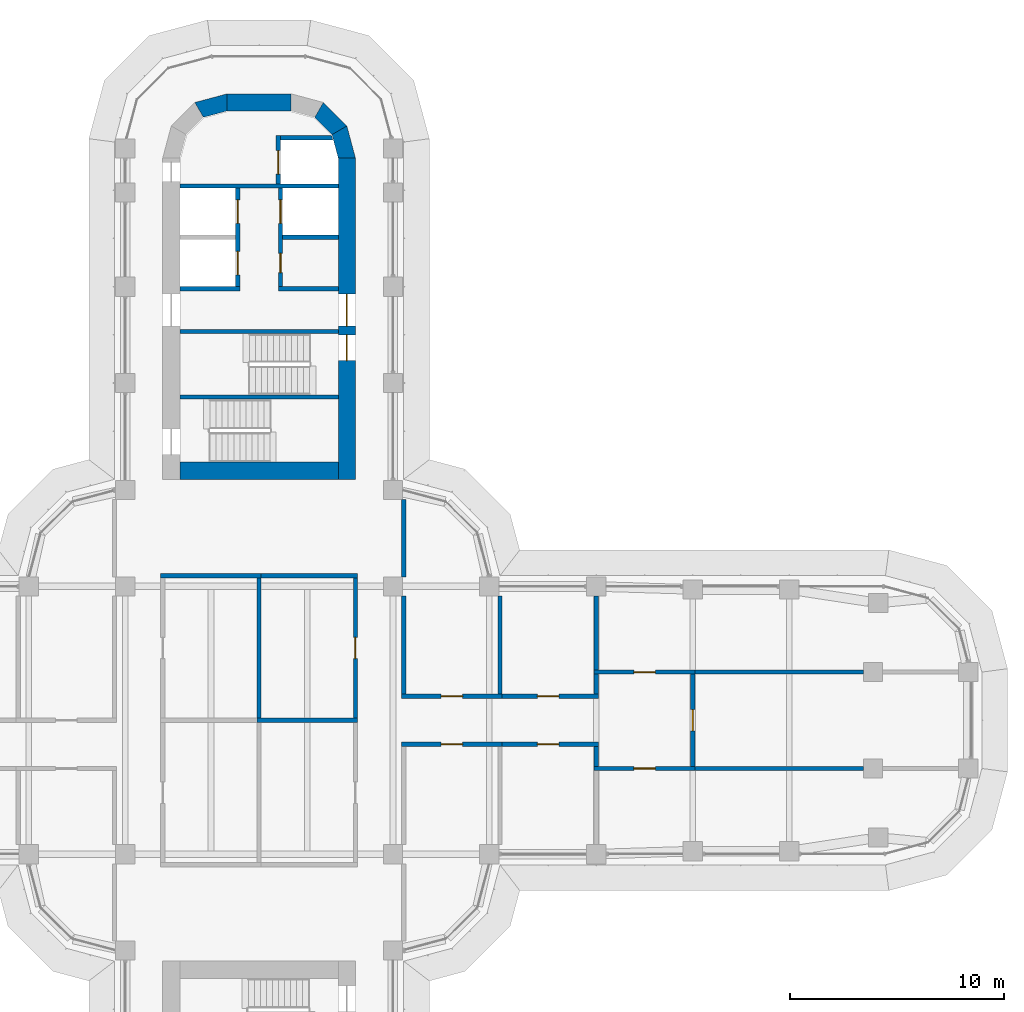
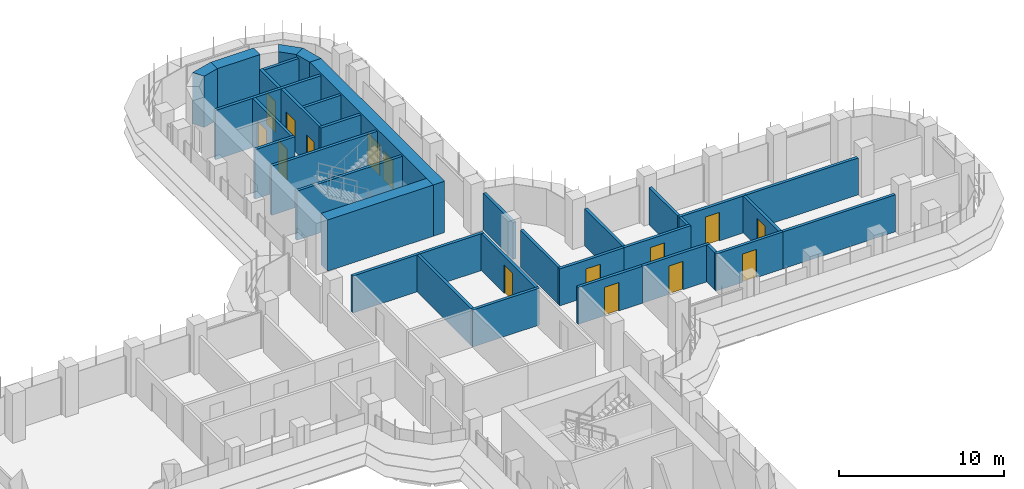
# One storey, part 17 of 22: 36 walls, 15 doors, 15 openings.
"""IFC4 building model written with IfcOpenShell, lengths in metres."""

from ifc_helpers import new_model, si_unit, direction, frame, frame_2d, origin, place, context, subcontext, project, spatial, polyline, rectangle, outline, extrude, material, layer, layer_set, type_object, element, fill, save


model = new_model("IFC4")

# Units and contexts
model_context = context("Model", 3, precision=1e-05, world=origin(), true_north=direction((0.0, 1.0)))
body_context = subcontext(model_context, "Body", "Model", "MODEL_VIEW")
ifc_project = project(units=[si_unit("LENGTHUNIT", "METRE"), si_unit("AREAUNIT", "SQUARE_METRE"), si_unit("VOLUMEUNIT", "CUBIC_METRE"), si_unit("PLANEANGLEUNIT", "RADIAN"), si_unit("MASSUNIT", "GRAM", prefix="KILO")], contexts=[model_context])

# Site, building, storey
site_placement = place(None, origin())
site = spatial("IfcSite", under=ifc_project, at=site_placement, CompositionType="ELEMENT")
building_placement = place(site_placement, origin())
building = spatial("IfcBuilding", under=site, at=building_placement, Name="Zarbagh Exchange Tower", CompositionType="ELEMENT")
storey_placement = place(building_placement, frame((0.0, 0.0, 109.39990234375)))
storey = spatial("IfcBuildingStorey", under=building, at=storey_placement, Name="L25", CompositionType="ELEMENT", Elevation=109.39990234375)

# Wall, opening, door
ifc_material_1 = material(Name="Fire-rated plasterboard partition")
ifc_layer_1 = layer(ifc_material_1, 0.199951171875)
ifc_layer_set_1 = layer_set([ifc_layer_1], Name="RATED PARTITION 200")
wall_type_1 = type_object("IfcWallType", Name="RATED PARTITION 200", PredefinedType="PARTITIONING", material=ifc_layer_set_1)
wall_1_placement = place(storey_placement, frame((4.5, 0.10009765625, 0.0), z_axis=(0.0, 0.0, 1.0), x_axis=(0.0, 1.0, 0.0)))
wall_1 = element("IfcWall", 1, at=wall_1_placement, inside=storey, type_object=wall_type_1, Name="Partition W-907", PredefinedType="PARTITIONING", context=body_context, shape_type="SweptSolid", body=[
    extrude(rectangle(XDim=6.5498046875, YDim=0.199951171875, at=frame_2d((3.27490234375, 0.0))), origin(), (0.0, 0.0, 1.0), 2.73828125),
])
opening_1_placement = place(wall_1_placement, frame((2.77490234375, 0.0, 0.0)))
opening_1 = element("IfcOpeningElement", 2, at=opening_1_placement, cuts=wall_1, Name="Opening D-901", PredefinedType="OPENING", context=body_context, shape_type="SweptSolid", body=[
    extrude(rectangle(XDim=1.0, YDim=2.10009765625, at=frame_2d((0.5, 1.050048828125))), frame((0.0, 0.10986328125, 0.0), z_axis=(0.0, -1.0, 0.0), x_axis=(1.0, 0.0, 0.0)), (0.0, 0.0, 1.0), 0.219970703125),
])
ifc_material_2 = material(Name="Steel door set", Category="steel")
door_type_1 = type_object("IfcDoorType", Name="FIRE DOOR 1000 X 2100 FD30S", OperationType="NOTDEFINED", PredefinedType="DOOR", material=ifc_material_2)
door_1_placement = place(opening_1_placement, origin())
door_1 = element("IfcDoor", 3, at=door_1_placement, inside=storey, type_object=door_type_1, Name="Door D-901", OperationType="SINGLE_SWING_LEFT", OverallHeight=2.10009765625, OverallWidth=1.0, PredefinedType="DOOR", context=body_context, shape_type="SweptSolid", body=[
    extrude(rectangle(XDim=1.0, YDim=2.10009765625, at=frame_2d((0.5, 1.050048828125))), frame((0.0, 0.02490234375, 0.0), z_axis=(0.0, -1.0, 0.0), x_axis=(1.0, 0.0, 0.0)), (0.0, 0.0, 1.0), 0.050048828125),
])
fill(opening_1, door_1)

# Walls
wall_2_placement = place(storey_placement, frame((6.75, 1.22509765625, 0.0), z_axis=(0.0, 0.0, 1.0), x_axis=(0.0, 1.0, 0.0)))
element("IfcWall", 4, at=wall_2_placement, inside=storey, type_object=wall_type_1, Name="Partition W-909", PredefinedType="PARTITIONING", context=body_context, shape_type="SweptSolid", body=[
    extrude(rectangle(XDim=4.574951171875, YDim=0.199951171875, at=frame_2d((2.28759765625, 0.0))), origin(), (0.0, 0.0, 1.0), 2.73828125),
])
wall_3_placement = place(storey_placement, frame((6.75, 6.699951171875, 0.0), z_axis=(0.0, 0.0, 1.0), x_axis=(0.0, 1.0, 0.0)))
element("IfcWall", 5, at=wall_3_placement, inside=storey, type_object=wall_type_1, Name="Partition W-910", PredefinedType="PARTITIONING", context=body_context, shape_type="SweptSolid", body=[
    extrude(rectangle(XDim=3.60009765625, YDim=0.199951171875, at=frame_2d((1.800048828125, 0.0))), origin(), (0.0, 0.0, 1.0), 2.73828125),
])
for number, where, z_axis, x_axis, name in (
    (6, (-4.60009765625, 6.75, 0.0), (0.0, 0.0, 1.0), (1.0, 0.0, 0.0), "Partition W-913"),
    (7, (-0.10009765625, 6.75, 0.0), (0.0, 0.0, 1.0), (1.0, 0.0, 0.0), "Partition W-914"),
):
    element("IfcWall", number, at=place(storey_placement, frame(where, z_axis=z_axis, x_axis=x_axis)), inside=storey, type_object=wall_type_1, Name=name, PredefinedType="PARTITIONING", context=body_context, shape_type="SweptSolid", body=[
        extrude(rectangle(XDim=4.7001953125, YDim=0.199951171875, at=frame_2d((2.35009765625, 0.0))), origin(), (0.0, 0.0, 1.0), 2.73828125),
    ])
wall_4_placement = place(storey_placement, frame((0.0, 0.10009765625, 0.0), z_axis=(0.0, 0.0, 1.0), x_axis=(0.0, 1.0, 0.0)))
element("IfcWall", 8, at=wall_4_placement, inside=storey, type_object=wall_type_1, Name="Partition W-917", PredefinedType="PARTITIONING", context=body_context, shape_type="SweptSolid", body=[
    extrude(rectangle(XDim=6.5498046875, YDim=0.199951171875, at=frame_2d((3.27490234375, 0.0))), origin(), (0.0, 0.0, 1.0), 2.73828125),
])
wall_5_placement = place(storey_placement, frame((-0.10009765625, 0.0, 0.0), z_axis=(0.0, 0.0, 1.0), x_axis=(1.0, 0.0, 0.0)))
element("IfcWall", 9, at=wall_5_placement, inside=storey, type_object=wall_type_1, Name="Partition W-919", PredefinedType="PARTITIONING", context=body_context, shape_type="SweptSolid", body=[
    extrude(rectangle(XDim=4.7001953125, YDim=0.199951171875, at=frame_2d((2.35009765625, 0.0))), origin(), (0.0, 0.0, 1.0), 2.73828125),
])

# Wall, opening, door
wall_6_placement = place(storey_placement, frame((6.64990234375, 1.125, 0.0), z_axis=(0.0, 0.0, 1.0), x_axis=(1.0, 0.0, 0.0)))
wall_6 = element("IfcWall", 10, at=wall_6_placement, inside=storey, type_object=wall_type_1, Name="Partition W-921", PredefinedType="PARTITIONING", context=body_context, shape_type="SweptSolid", body=[
    extrude(rectangle(XDim=4.7001953125, YDim=0.199951171875, at=frame_2d((2.35009765625, 0.0))), origin(), (0.0, 0.0, 1.0), 2.73828125),
])
opening_2_placement = place(wall_6_placement, frame((1.85009765625, 0.0, 0.0)))
opening_2 = element("IfcOpeningElement", 11, at=opening_2_placement, cuts=wall_6, Name="Opening D-907", PredefinedType="OPENING", context=body_context, shape_type="SweptSolid", body=[
    extrude(rectangle(XDim=1.0, YDim=2.10009765625, at=frame_2d((0.5, 1.050048828125))), frame((0.0, 0.10986328125, 0.0), z_axis=(0.0, -1.0, 0.0), x_axis=(1.0, 0.0, 0.0)), (0.0, 0.0, 1.0), 0.219970703125),
])
door_2_placement = place(opening_2_placement, origin())
door_2 = element("IfcDoor", 12, at=door_2_placement, inside=storey, type_object=door_type_1, Name="Door D-907", OperationType="SINGLE_SWING_RIGHT", OverallHeight=2.10009765625, OverallWidth=1.0, PredefinedType="DOOR", context=body_context, shape_type="SweptSolid", body=[
    extrude(rectangle(XDim=1.0, YDim=2.10009765625, at=frame_2d((0.5, 1.050048828125))), frame((0.0, 0.02490234375, 0.0), z_axis=(0.0, -1.0, 0.0), x_axis=(1.0, 0.0, 0.0)), (0.0, 0.0, 1.0), 0.050048828125),
])
fill(opening_2, door_2)

wall_7_placement = place(storey_placement, frame((11.35009765625, -1.125, 0.0), z_axis=(0.0, 0.0, 1.0), x_axis=(-1.0, 0.0, 0.0)))
wall_7 = element("IfcWall", 13, at=wall_7_placement, inside=storey, type_object=wall_type_1, Name="Partition W-922", PredefinedType="PARTITIONING", context=body_context, shape_type="SweptSolid", body=[
    extrude(rectangle(XDim=4.7001953125, YDim=0.199951171875, at=frame_2d((2.35009765625, 0.0))), origin(), (0.0, 0.0, 1.0), 2.73828125),
])
opening_3_placement = place(wall_7_placement, frame((1.85009765625, 0.0, 0.0)))
opening_3 = element("IfcOpeningElement", 14, at=opening_3_placement, cuts=wall_7, Name="Opening D-910", PredefinedType="OPENING", context=body_context, shape_type="SweptSolid", body=[
    extrude(rectangle(XDim=1.0, YDim=2.10009765625, at=frame_2d((0.5, 1.050048828125))), frame((0.0, 0.10986328125, 0.0), z_axis=(0.0, -1.0, 0.0), x_axis=(1.0, 0.0, 0.0)), (0.0, 0.0, 1.0), 0.219970703125),
])
door_3_placement = place(opening_3_placement, origin())
door_3 = element("IfcDoor", 15, at=door_3_placement, inside=storey, type_object=door_type_1, Name="Door D-910", OperationType="SINGLE_SWING_RIGHT", OverallHeight=2.10009765625, OverallWidth=1.0, PredefinedType="DOOR", context=body_context, shape_type="SweptSolid", body=[
    extrude(rectangle(XDim=1.0, YDim=2.10009765625, at=frame_2d((0.5, 1.050048828125))), frame((0.0, 0.02490234375, 0.0), z_axis=(0.0, -1.0, 0.0), x_axis=(1.0, 0.0, 0.0)), (0.0, 0.0, 1.0), 0.050048828125),
])
fill(opening_3, door_3)

wall_8_placement = place(storey_placement, frame((11.14990234375, 1.125, 0.0), z_axis=(0.0, 0.0, 1.0), x_axis=(1.0, 0.0, 0.0)))
wall_8 = element("IfcWall", 16, at=wall_8_placement, inside=storey, type_object=wall_type_1, Name="Partition W-923", PredefinedType="PARTITIONING", context=body_context, shape_type="SweptSolid", body=[
    extrude(rectangle(XDim=4.7001953125, YDim=0.199951171875, at=frame_2d((2.35009765625, 0.0))), origin(), (0.0, 0.0, 1.0), 2.73828125),
])
opening_4_placement = place(wall_8_placement, frame((1.85009765625, 0.0, 0.0)))
opening_4 = element("IfcOpeningElement", 17, at=opening_4_placement, cuts=wall_8, Name="Opening D-908", PredefinedType="OPENING", context=body_context, shape_type="SweptSolid", body=[
    extrude(rectangle(XDim=1.0, YDim=2.10009765625, at=frame_2d((0.5, 1.050048828125))), frame((0.0, 0.10986328125, 0.0), z_axis=(0.0, -1.0, 0.0), x_axis=(1.0, 0.0, 0.0)), (0.0, 0.0, 1.0), 0.219970703125),
])
door_4_placement = place(opening_4_placement, origin())
door_4 = element("IfcDoor", 18, at=door_4_placement, inside=storey, type_object=door_type_1, Name="Door D-908", OperationType="SINGLE_SWING_RIGHT", OverallHeight=2.10009765625, OverallWidth=1.0, PredefinedType="DOOR", context=body_context, shape_type="SweptSolid", body=[
    extrude(rectangle(XDim=1.0, YDim=2.10009765625, at=frame_2d((0.5, 1.050048828125))), frame((0.0, 0.02490234375, 0.0), z_axis=(0.0, -1.0, 0.0), x_axis=(1.0, 0.0, 0.0)), (0.0, 0.0, 1.0), 0.050048828125),
])
fill(opening_4, door_4)

wall_9_placement = place(storey_placement, frame((15.85009765625, -1.125, 0.0), z_axis=(0.0, 0.0, 1.0), x_axis=(-1.0, 0.0, 0.0)))
wall_9 = element("IfcWall", 19, at=wall_9_placement, inside=storey, type_object=wall_type_1, Name="Partition W-924", PredefinedType="PARTITIONING", context=body_context, shape_type="SweptSolid", body=[
    extrude(rectangle(XDim=4.7001953125, YDim=0.199951171875, at=frame_2d((2.35009765625, 0.0))), origin(), (0.0, 0.0, 1.0), 2.73828125),
])
opening_5_placement = place(wall_9_placement, frame((1.85009765625, 0.0, 0.0)))
opening_5 = element("IfcOpeningElement", 20, at=opening_5_placement, cuts=wall_9, Name="Opening D-911", PredefinedType="OPENING", context=body_context, shape_type="SweptSolid", body=[
    extrude(rectangle(XDim=1.0, YDim=2.10009765625, at=frame_2d((0.5, 1.050048828125))), frame((0.0, 0.10986328125, 0.0), z_axis=(0.0, -1.0, 0.0), x_axis=(1.0, 0.0, 0.0)), (0.0, 0.0, 1.0), 0.219970703125),
])
door_5_placement = place(opening_5_placement, origin())
door_5 = element("IfcDoor", 21, at=door_5_placement, inside=storey, type_object=door_type_1, Name="Door D-911", OperationType="SINGLE_SWING_RIGHT", OverallHeight=2.10009765625, OverallWidth=1.0, PredefinedType="DOOR", context=body_context, shape_type="SweptSolid", body=[
    extrude(rectangle(XDim=1.0, YDim=2.10009765625, at=frame_2d((0.5, 1.050048828125))), frame((0.0, 0.02490234375, 0.0), z_axis=(0.0, -1.0, 0.0), x_axis=(1.0, 0.0, 0.0)), (0.0, 0.0, 1.0), 0.050048828125),
])
fill(opening_5, door_5)

# Walls
wall_10_placement = place(storey_placement, frame((11.25, 1.22509765625, 0.0), z_axis=(0.0, 0.0, 1.0), x_axis=(0.0, 1.0, 0.0)))
element("IfcWall", 22, at=wall_10_placement, inside=storey, type_object=wall_type_1, Name="Partition W-925", PredefinedType="PARTITIONING", context=body_context, shape_type="SweptSolid", body=[
    extrude(rectangle(XDim=4.574951171875, YDim=0.199951171875, at=frame_2d((2.28759765625, 0.0))), origin(), (0.0, 0.0, 1.0), 2.73828125),
])
wall_11_placement = place(storey_placement, frame((15.75, 1.22509765625, 0.0), z_axis=(0.0, 0.0, 1.0), x_axis=(0.0, 1.0, 0.0)))
element("IfcWall", 23, at=wall_11_placement, inside=storey, type_object=wall_type_1, Name="Partition W-927", PredefinedType="PARTITIONING", context=body_context, shape_type="SweptSolid", body=[
    extrude(rectangle(XDim=0.9248046875, YDim=0.199951171875, at=frame_2d((0.46240234375, 0.0))), origin(), (0.0, 0.0, 1.0), 2.73828125),
])
wall_12_placement = place(storey_placement, frame((15.75, 2.35009765625, 0.0), z_axis=(0.0, 0.0, 1.0), x_axis=(0.0, 1.0, 0.0)))
element("IfcWall", 24, at=wall_12_placement, inside=storey, type_object=wall_type_1, Name="Partition W-928", PredefinedType="PARTITIONING", context=body_context, shape_type="SweptSolid", body=[
    extrude(rectangle(XDim=3.449951171875, YDim=0.199951171875, at=frame_2d((1.72509765625, 0.0))), origin(), (0.0, 0.0, 1.0), 2.73828125),
])
wall_13_placement = place(storey_placement, frame((15.75, -2.14990234375, 0.0), z_axis=(0.0, 0.0, 1.0), x_axis=(0.0, 1.0, 0.0)))
element("IfcWall", 25, at=wall_13_placement, inside=storey, type_object=wall_type_1, Name="Partition W-929", PredefinedType="PARTITIONING", context=body_context, shape_type="SweptSolid", body=[
    extrude(rectangle(XDim=0.9248046875, YDim=0.199951171875, at=frame_2d((0.46240234375, 0.0))), origin(), (0.0, 0.0, 1.0), 2.73828125),
])

# Wall, opening, door
wall_14_placement = place(storey_placement, frame((15.64990234375, 2.25, 0.0), z_axis=(0.0, 0.0, 1.0), x_axis=(1.0, 0.0, 0.0)))
wall_14 = element("IfcWall", 26, at=wall_14_placement, inside=storey, type_object=wall_type_1, Name="Partition W-931", PredefinedType="PARTITIONING", context=body_context, shape_type="SweptSolid", body=[
    extrude(rectangle(XDim=4.7001953125, YDim=0.199951171875, at=frame_2d((2.35009765625, 0.0))), origin(), (0.0, 0.0, 1.0), 2.73828125),
])
opening_6_placement = place(wall_14_placement, frame((1.85009765625, 0.0, 0.0)))
opening_6 = element("IfcOpeningElement", 27, at=opening_6_placement, cuts=wall_14, Name="Opening D-906", PredefinedType="OPENING", context=body_context, shape_type="SweptSolid", body=[
    extrude(rectangle(XDim=1.0, YDim=2.10009765625, at=frame_2d((0.5, 1.050048828125))), frame((0.0, 0.10986328125, 0.0), z_axis=(0.0, -1.0, 0.0), x_axis=(1.0, 0.0, 0.0)), (0.0, 0.0, 1.0), 0.219970703125),
])
door_6_placement = place(opening_6_placement, origin())
door_6 = element("IfcDoor", 28, at=door_6_placement, inside=storey, type_object=door_type_1, Name="Door D-906", OperationType="SINGLE_SWING_LEFT", OverallHeight=2.10009765625, OverallWidth=1.0, PredefinedType="DOOR", context=body_context, shape_type="SweptSolid", body=[
    extrude(rectangle(XDim=1.0, YDim=2.10009765625, at=frame_2d((0.5, 1.050048828125))), frame((0.0, 0.02490234375, 0.0), z_axis=(0.0, -1.0, 0.0), x_axis=(1.0, 0.0, 0.0)), (0.0, 0.0, 1.0), 0.050048828125),
])
fill(opening_6, door_6)

wall_15_placement = place(storey_placement, frame((20.35009765625, -2.25, 0.0), z_axis=(0.0, 0.0, 1.0), x_axis=(-1.0, 0.0, 0.0)))
wall_15 = element("IfcWall", 29, at=wall_15_placement, inside=storey, type_object=wall_type_1, Name="Partition W-932", PredefinedType="PARTITIONING", context=body_context, shape_type="SweptSolid", body=[
    extrude(rectangle(XDim=4.7001953125, YDim=0.199951171875, at=frame_2d((2.35009765625, 0.0))), origin(), (0.0, 0.0, 1.0), 2.73828125),
])
opening_7_placement = place(wall_15_placement, frame((1.85009765625, 0.0, 0.0)))
opening_7 = element("IfcOpeningElement", 30, at=opening_7_placement, cuts=wall_15, Name="Opening D-909", PredefinedType="OPENING", context=body_context, shape_type="SweptSolid", body=[
    extrude(rectangle(XDim=1.0, YDim=2.10009765625, at=frame_2d((0.5, 1.050048828125))), frame((0.0, 0.10986328125, 0.0), z_axis=(0.0, -1.0, 0.0), x_axis=(1.0, 0.0, 0.0)), (0.0, 0.0, 1.0), 0.219970703125),
])
door_7_placement = place(opening_7_placement, origin())
door_7 = element("IfcDoor", 31, at=door_7_placement, inside=storey, type_object=door_type_1, Name="Door D-909", OperationType="SINGLE_SWING_RIGHT", OverallHeight=2.10009765625, OverallWidth=1.0, PredefinedType="DOOR", context=body_context, shape_type="SweptSolid", body=[
    extrude(rectangle(XDim=1.0, YDim=2.10009765625, at=frame_2d((0.5, 1.050048828125))), frame((0.0, 0.02490234375, 0.0), z_axis=(0.0, -1.0, 0.0), x_axis=(1.0, 0.0, 0.0)), (0.0, 0.0, 1.0), 0.050048828125),
])
fill(opening_7, door_7)

wall_16_placement = place(storey_placement, frame((20.25, 2.14990234375, 0.0), z_axis=(0.0, 0.0, 1.0), x_axis=(0.0, -1.0, 0.0)))
wall_16 = element("IfcWall", 32, at=wall_16_placement, inside=storey, type_object=wall_type_1, Name="Partition W-933", PredefinedType="PARTITIONING", context=body_context, shape_type="SweptSolid", body=[
    extrude(rectangle(XDim=4.2998046875, YDim=0.199951171875, at=frame_2d((2.14990234375, 0.0))), origin(), (0.0, 0.0, 1.0), 2.73828125),
])
opening_8_placement = place(wall_16_placement, frame((1.64990234375, 0.0, 0.0)))
opening_8 = element("IfcOpeningElement", 33, at=opening_8_placement, cuts=wall_16, Name="Opening D-905", PredefinedType="OPENING", context=body_context, shape_type="SweptSolid", body=[
    extrude(rectangle(XDim=1.0, YDim=2.10009765625, at=frame_2d((0.5, 1.050048828125))), frame((0.0, 0.10986328125, 0.0), z_axis=(0.0, -1.0, 0.0), x_axis=(1.0, 0.0, 0.0)), (0.0, 0.0, 1.0), 0.219970703125),
])
door_8_placement = place(opening_8_placement, origin())
door_8 = element("IfcDoor", 34, at=door_8_placement, inside=storey, type_object=door_type_1, Name="Door D-905", OperationType="SINGLE_SWING_RIGHT", OverallHeight=2.10009765625, OverallWidth=1.0, PredefinedType="DOOR", context=body_context, shape_type="SweptSolid", body=[
    extrude(rectangle(XDim=1.0, YDim=2.10009765625, at=frame_2d((0.5, 1.050048828125))), frame((0.0, 0.02490234375, 0.0), z_axis=(0.0, -1.0, 0.0), x_axis=(1.0, 0.0, 0.0)), (0.0, 0.0, 1.0), 0.050048828125),
])
fill(opening_8, door_8)

# Walls
for number, where, z_axis, x_axis, name in (
    (35, (20.14990234375, 2.25, 0.0), (0.0, 0.0, 1.0), (1.0, 0.0, 0.0), "Partition W-934"),
    (36, (20.14990234375, -2.25, 0.0), (0.0, 0.0, 1.0), (1.0, 0.0, 0.0), "Partition W-936"),
):
    element("IfcWall", number, at=place(storey_placement, frame(where, z_axis=z_axis, x_axis=x_axis)), inside=storey, type_object=wall_type_1, Name=name, PredefinedType="PARTITIONING", context=body_context, shape_type="SweptSolid", body=[
        extrude(rectangle(XDim=8.070068359375, YDim=0.199951171875, at=frame_2d((4.03515625, 0.0))), origin(), (0.0, 0.0, 1.0), 2.73828125),
    ])
ifc_material_3 = material(Name="Concrete C60/75", Category="concrete")
ifc_layer_2 = layer(ifc_material_3, 0.800048828125)
ifc_layer_set_2 = layer_set([ifc_layer_2], Name="RC core corner wall 800 C60/75")
wall_type_2 = type_object("IfcWallType", Name="RC core corner wall 800 C60/75", PredefinedType="SHEAR", material=ifc_layer_set_2)
wall_17_placement = place(storey_placement, origin())
element("IfcWall", 37, at=wall_17_placement, inside=storey, type_object=wall_type_2, Name="CW4 core N corner W", PredefinedType="SHEAR", context=body_context, shape_type="SweptSolid", body=[
    extrude(outline(polyline([(-3.0, 28.84814453125), (-1.5, 29.25), (-1.5, 28.449951171875), (-2.60009765625, 28.1552734375), (-3.0, 28.84814453125)])), origin(), (0.0, 0.0, 1.0), 3.800048828125),
])
wall_18_placement = place(storey_placement, origin())
element("IfcWall", 38, at=wall_18_placement, inside=storey, type_object=wall_type_2, Name="CW4 core N corner E", PredefinedType="SHEAR", context=body_context, shape_type="SweptSolid", body=[
    extrude(outline(polyline([(4.5, 26.25), (4.09814453125, 27.75), (3.4052734375, 27.35009765625), (3.699951171875, 26.25), (4.5, 26.25)])), origin(), (0.0, 0.0, 1.0), 3.800048828125),
])
wall_19_placement = place(storey_placement, origin())
element("IfcWall", 39, at=wall_19_placement, inside=storey, type_object=wall_type_2, Name="CW4 core N corner E", PredefinedType="SHEAR", context=body_context, shape_type="SweptSolid", body=[
    extrude(outline(polyline([(4.09814453125, 27.75), (3.0, 28.84814453125), (2.60009765625, 28.1552734375), (3.4052734375, 27.35009765625), (4.09814453125, 27.75)])), origin(), (0.0, 0.0, 1.0), 3.800048828125),
])

# Wall, openings, doors
ifc_layer_3 = layer(ifc_material_3, 0.800048828125)
ifc_layer_set_3 = layer_set([ifc_layer_3], Name="RC core wall 800 C60/75")
wall_type_3 = type_object("IfcWallType", Name="RC core wall 800 C60/75", PredefinedType="SHEAR", material=ifc_layer_set_3)
wall_20_placement = place(storey_placement, frame((4.10009765625, 11.25, 0.0), z_axis=(0.0, 0.0, 1.0), x_axis=(0.0, 1.0, 0.0)))
wall_20 = element("IfcWall", 40, at=wall_20_placement, inside=storey, type_object=wall_type_3, Name="CW3 core N E", PredefinedType="SHEAR", context=body_context, shape_type="SweptSolid", body=[
    extrude(rectangle(XDim=15.0, YDim=0.800048828125, at=frame_2d((7.5, 0.0))), origin(), (0.0, 0.0, 1.0), 3.800048828125),
])
opening_9_placement = place(wall_20_placement, frame((7.14990234375, 0.0, 0.0)))
opening_9 = element("IfcOpeningElement", 41, at=opening_9_placement, cuts=wall_20, Name="Opening CD1-1500", PredefinedType="OPENING", context=body_context, shape_type="SweptSolid", body=[
    extrude(rectangle(XDim=1.5, YDim=2.300048828125, at=frame_2d((0.75, 1.14990234375))), frame((0.0, 0.409912109375, 0.0), z_axis=(0.0, -1.0, 0.0), x_axis=(1.0, 0.0, 0.0)), (0.0, 0.0, 1.0), 0.820068359375),
])
opening_10_placement = place(wall_20_placement, frame((5.550048828125, 0.0, 0.0)))
opening_10 = element("IfcOpeningElement", 42, at=opening_10_placement, cuts=wall_20, Name="Opening SD1-1200", PredefinedType="OPENING", context=body_context, shape_type="SweptSolid", body=[
    extrude(rectangle(XDim=1.199951171875, YDim=2.10009765625, at=frame_2d((0.60009765625, 1.050048828125))), frame((0.0, 0.409912109375, 0.0), z_axis=(0.0, -1.0, 0.0), x_axis=(1.0, 0.0, 0.0)), (0.0, 0.0, 1.0), 0.820068359375),
])
ifc_material_4 = material(Name="Steel", Category="steel")
door_type_2 = type_object("IfcDoorType", Name="Exit stair door 1200 x 2100", OperationType="NOTDEFINED", PredefinedType="DOOR", material=ifc_material_4)
door_9_placement = place(opening_10_placement, origin())
door_9 = element("IfcDoor", 43, at=door_9_placement, inside=storey, type_object=door_type_2, Name="North core stair door ST1", OperationType="SINGLE_SWING_RIGHT", OverallHeight=2.10009765625, OverallWidth=1.199951171875, PredefinedType="DOOR", context=body_context, shape_type="SweptSolid", body=[
    extrude(rectangle(XDim=1.199951171875, YDim=2.10009765625, at=frame_2d((0.60009765625, 1.050048828125))), frame((0.0, 0.02490234375, 0.0), z_axis=(0.0, -1.0, 0.0), x_axis=(1.0, 0.0, 0.0)), (0.0, 0.0, 1.0), 0.050048828125),
])
fill(opening_10, door_9)
door_type_3 = type_object("IfcDoorType", Name="Lift lobby double door 1500 x 2300", OperationType="NOTDEFINED", PredefinedType="DOOR", material=ifc_material_4)
door_10_placement = place(opening_9_placement, origin())
door_10 = element("IfcDoor", 44, at=door_10_placement, inside=storey, type_object=door_type_3, Name="North core lift lobby door LOBBY-E", OperationType="DOUBLE_DOOR_SINGLE_SWING", OverallHeight=2.300048828125, OverallWidth=1.5, PredefinedType="DOOR", context=body_context, shape_type="SweptSolid", body=[
    extrude(rectangle(XDim=1.5, YDim=2.300048828125, at=frame_2d((0.75, 1.14990234375))), frame((0.0, 0.02490234375, 0.0), z_axis=(0.0, -1.0, 0.0), x_axis=(1.0, 0.0, 0.0)), (0.0, 0.0, 1.0), 0.050048828125),
])
fill(opening_9, door_10)

# Walls
wall_21_placement = place(storey_placement, frame((-3.699951171875, 11.64990234375, 0.0), z_axis=(0.0, 0.0, 1.0), x_axis=(1.0, 0.0, 0.0)))
element("IfcWall", 45, at=wall_21_placement, inside=storey, type_object=wall_type_3, Name="CW3 core N inner end", PredefinedType="SHEAR", context=body_context, shape_type="SweptSolid", body=[
    extrude(rectangle(XDim=7.39990234375, YDim=0.800048828125, at=frame_2d((3.699951171875, 0.0))), origin(), (0.0, 0.0, 1.0), 3.800048828125),
])
wall_22_placement = place(storey_placement, frame((-1.5, 28.85009765625, 0.0), z_axis=(0.0, 0.0, 1.0), x_axis=(1.0, 0.0, 0.0)))
element("IfcWall", 46, at=wall_22_placement, inside=storey, type_object=wall_type_3, Name="CW3 core N outer end", PredefinedType="SHEAR", context=body_context, shape_type="SweptSolid", body=[
    extrude(rectangle(XDim=3.0, YDim=0.800048828125, at=frame_2d((1.5, 0.0))), origin(), (0.0, 0.0, 1.0), 3.800048828125),
])
ifc_material_5 = material(Name="Dense blockwork", Category="masonry")
ifc_layer_4 = layer(ifc_material_5, 0.199951171875)
ifc_layer_set_4 = layer_set([ifc_layer_4], Name="Shaft wall 200 mm blockwork")
wall_type_4 = type_object("IfcWallType", Name="Shaft wall 200 mm blockwork", PredefinedType="PARTITIONING", material=ifc_layer_set_4)
wall_23_placement = place(storey_placement, frame((-3.699951171875, 20.14990234375, 0.0), z_axis=(0.0, 0.0, 1.0), x_axis=(1.0, 0.0, 0.0)))
element("IfcWall", 47, at=wall_23_placement, inside=storey, type_object=wall_type_4, Name="North core shaft wall AB-W", PredefinedType="PARTITIONING", context=body_context, shape_type="SweptSolid", body=[
    extrude(rectangle(XDim=2.800048828125, YDim=0.199951171875, at=frame_2d((1.39990234375, 0.0))), origin(), (0.0, 0.0, 1.0), 3.650146484375),
])

# Wall, openings, doors
wall_24_placement = place(storey_placement, frame((-1.0, 24.85009765625, 0.0), z_axis=(0.0, 0.0, 1.0), x_axis=(0.0, -1.0, 0.0)))
wall_24 = element("IfcWall", 48, at=wall_24_placement, inside=storey, type_object=wall_type_4, Name="North core shaft wall LW-W", PredefinedType="PARTITIONING", context=body_context, shape_type="SweptSolid", body=[
    extrude(rectangle(XDim=4.60009765625, YDim=0.199951171875, at=frame_2d((2.300048828125, 0.0))), origin(), (0.0, 0.0, 1.0), 3.650146484375),
])
opening_11_placement = place(wall_24_placement, frame((0.550048828125, 0.0, 0.0)))
opening_11 = element("IfcOpeningElement", 49, at=opening_11_placement, cuts=wall_24, Name="Opening LD-1100", PredefinedType="OPENING", context=body_context, shape_type="SweptSolid", body=[
    extrude(rectangle(XDim=1.10009765625, YDim=2.300048828125, at=frame_2d((0.550048828125, 1.14990234375))), frame((0.0, 0.10986328125, 0.0), z_axis=(0.0, -1.0, 0.0), x_axis=(1.0, 0.0, 0.0)), (0.0, 0.0, 1.0), 0.219970703125),
])
opening_12_placement = place(wall_24_placement, frame((2.949951171875, 0.0, 0.0)))
opening_12 = element("IfcOpeningElement", 50, at=opening_12_placement, cuts=wall_24, Name="Opening LD-1100", PredefinedType="OPENING", context=body_context, shape_type="SweptSolid", body=[
    extrude(rectangle(XDim=1.10009765625, YDim=2.300048828125, at=frame_2d((0.550048828125, 1.14990234375))), frame((0.0, 0.10986328125, 0.0), z_axis=(0.0, -1.0, 0.0), x_axis=(1.0, 0.0, 0.0)), (0.0, 0.0, 1.0), 0.219970703125),
])
ifc_material_6 = material(Name="Stainless steel", Category="steel")
door_type_4 = type_object("IfcDoorType", Name="Lift landing door 1100 x 2300", OperationType="NOTDEFINED", PredefinedType="DOOR", material=ifc_material_6)
door_11_placement = place(opening_11_placement, origin())
door_11 = element("IfcDoor", 51, at=door_11_placement, inside=storey, type_object=door_type_4, Name="North core lift landing door LD-P-N1", OperationType="DOUBLE_DOOR_SLIDING", OverallHeight=2.300048828125, OverallWidth=1.10009765625, PredefinedType="DOOR", context=body_context, shape_type="SweptSolid", body=[
    extrude(rectangle(XDim=1.10009765625, YDim=2.300048828125, at=frame_2d((0.550048828125, 1.14990234375))), frame((0.0, 0.02490234375, 0.0), z_axis=(0.0, -1.0, 0.0), x_axis=(1.0, 0.0, 0.0)), (0.0, 0.0, 1.0), 0.050048828125),
])
fill(opening_11, door_11)
door_12_placement = place(opening_12_placement, origin())
door_12 = element("IfcDoor", 52, at=door_12_placement, inside=storey, type_object=door_type_4, Name="North core lift landing door LD-P-N2", OperationType="DOUBLE_DOOR_SLIDING", OverallHeight=2.300048828125, OverallWidth=1.10009765625, PredefinedType="DOOR", context=body_context, shape_type="SweptSolid", body=[
    extrude(rectangle(XDim=1.10009765625, YDim=2.300048828125, at=frame_2d((0.550048828125, 1.14990234375))), frame((0.0, 0.02490234375, 0.0), z_axis=(0.0, -1.0, 0.0), x_axis=(1.0, 0.0, 0.0)), (0.0, 0.0, 1.0), 0.050048828125),
])
fill(opening_12, door_12)

# Wall
wall_25_placement = place(storey_placement, frame((0.89990234375, 20.14990234375, 0.0), z_axis=(0.0, 0.0, 1.0), x_axis=(1.0, 0.0, 0.0)))
element("IfcWall", 53, at=wall_25_placement, inside=storey, type_object=wall_type_4, Name="North core shaft wall AB-E", PredefinedType="PARTITIONING", context=body_context, shape_type="SweptSolid", body=[
    extrude(rectangle(XDim=2.800048828125, YDim=0.199951171875, at=frame_2d((1.39990234375, 0.0))), origin(), (0.0, 0.0, 1.0), 3.650146484375),
])

# Wall, openings, doors
wall_26_placement = place(storey_placement, frame((1.0, 24.85009765625, 0.0), z_axis=(0.0, 0.0, 1.0), x_axis=(0.0, -1.0, 0.0)))
wall_26 = element("IfcWall", 54, at=wall_26_placement, inside=storey, type_object=wall_type_4, Name="North core shaft wall LW-E", PredefinedType="PARTITIONING", context=body_context, shape_type="SweptSolid", body=[
    extrude(rectangle(XDim=4.60009765625, YDim=0.199951171875, at=frame_2d((2.300048828125, 0.0))), origin(), (0.0, 0.0, 1.0), 3.650146484375),
])
opening_13_placement = place(wall_26_placement, frame((0.550048828125, 0.0, 0.0)))
opening_13 = element("IfcOpeningElement", 55, at=opening_13_placement, cuts=wall_26, Name="Opening LD-1100", PredefinedType="OPENING", context=body_context, shape_type="SweptSolid", body=[
    extrude(rectangle(XDim=1.10009765625, YDim=2.300048828125, at=frame_2d((0.550048828125, 1.14990234375))), frame((0.0, 0.10986328125, 0.0), z_axis=(0.0, -1.0, 0.0), x_axis=(1.0, 0.0, 0.0)), (0.0, 0.0, 1.0), 0.219970703125),
])
opening_14_placement = place(wall_26_placement, frame((3.050048828125, 0.0, 0.0)))
opening_14 = element("IfcOpeningElement", 56, at=opening_14_placement, cuts=wall_26, Name="Opening CD3-900", PredefinedType="OPENING", context=body_context, shape_type="SweptSolid", body=[
    extrude(rectangle(XDim=0.89990234375, YDim=2.10009765625, at=frame_2d((0.449951171875, 1.050048828125))), frame((0.0, 0.10986328125, 0.0), z_axis=(0.0, -1.0, 0.0), x_axis=(1.0, 0.0, 0.0)), (0.0, 0.0, 1.0), 0.219970703125),
])
door_type_5 = type_object("IfcDoorType", Name="Core room door 900 x 2100", OperationType="NOTDEFINED", PredefinedType="DOOR", material=ifc_material_4)
door_13_placement = place(opening_14_placement, origin())
door_13 = element("IfcDoor", 57, at=door_13_placement, inside=storey, type_object=door_type_5, Name="North core Accessible WC door RD-E-0", OperationType="SINGLE_SWING_RIGHT", OverallHeight=2.10009765625, OverallWidth=0.89990234375, PredefinedType="DOOR", context=body_context, shape_type="SweptSolid", body=[
    extrude(rectangle(XDim=0.89990234375, YDim=2.10009765625, at=frame_2d((0.449951171875, 1.050048828125))), frame((0.0, 0.02490234375, 0.0), z_axis=(0.0, -1.0, 0.0), x_axis=(1.0, 0.0, 0.0)), (0.0, 0.0, 1.0), 0.050048828125),
])
fill(opening_14, door_13)
door_14_placement = place(opening_13_placement, origin())
door_14 = element("IfcDoor", 58, at=door_14_placement, inside=storey, type_object=door_type_4, Name="North core lift landing door LD-P-N3", OperationType="DOUBLE_DOOR_SLIDING", OverallHeight=2.300048828125, OverallWidth=1.10009765625, PredefinedType="DOOR", context=body_context, shape_type="SweptSolid", body=[
    extrude(rectangle(XDim=1.10009765625, YDim=2.300048828125, at=frame_2d((0.550048828125, 1.14990234375))), frame((0.0, 0.02490234375, 0.0), z_axis=(0.0, -1.0, 0.0), x_axis=(1.0, 0.0, 0.0)), (0.0, 0.0, 1.0), 0.050048828125),
])
fill(opening_13, door_14)

# Walls
wall_27_placement = place(storey_placement, frame((1.10009765625, 22.550048828125, 0.0), z_axis=(0.0, 0.0, 1.0), x_axis=(1.0, 0.0, 0.0)))
element("IfcWall", 59, at=wall_27_placement, inside=storey, type_object=wall_type_4, Name="North core shaft wall TR-E", PredefinedType="PARTITIONING", context=body_context, shape_type="SweptSolid", body=[
    extrude(rectangle(XDim=2.599853515625, YDim=0.199951171875, at=frame_2d((1.2998046875, 0.0))), origin(), (0.0, 0.0, 1.0), 3.650146484375),
])
ifc_material_7 = material(Name="Concrete C40/50", Category="concrete")
ifc_layer_5 = layer(ifc_material_7, 0.199951171875)
ifc_layer_set_5 = layer_set([ifc_layer_5], Name="Stair enclosure wall 200 mm RC C40/50")
wall_type_5 = type_object("IfcWallType", Name="Stair enclosure wall 200 mm RC C40/50", PredefinedType="SHEAR", material=ifc_layer_set_5)
wall_28_placement = place(storey_placement, frame((-3.699951171875, 24.949951171875, 0.0), z_axis=(0.0, 0.0, 1.0), x_axis=(1.0, 0.0, 0.0)))
element("IfcWall", 60, at=wall_28_placement, inside=storey, type_object=wall_type_5, Name="North core lift shaft wall FFA", PredefinedType="SHEAR", context=body_context, shape_type="SweptSolid", body=[
    extrude(rectangle(XDim=7.39990234375, YDim=0.199951171875, at=frame_2d((3.699951171875, 0.0))), origin(), (0.0, 0.0, 1.0), 3.650146484375),
])

# Wall, opening, door
wall_29_placement = place(storey_placement, frame((0.89990234375, 27.300048828125, 0.0), z_axis=(0.0, 0.0, 1.0), x_axis=(0.0, -1.0, 0.0)))
wall_29 = element("IfcWall", 61, at=wall_29_placement, inside=storey, type_object=wall_type_5, Name="North core lift shaft wall FFL", PredefinedType="SHEAR", context=body_context, shape_type="SweptSolid", body=[
    extrude(rectangle(XDim=2.25, YDim=0.199951171875, at=frame_2d((1.125, 0.0))), origin(), (0.0, 0.0, 1.0), 3.650146484375),
])
opening_15_placement = place(wall_29_placement, frame((0.699951171875, 0.0, 0.0)))
opening_15 = element("IfcOpeningElement", 62, at=opening_15_placement, cuts=wall_29, Name="Opening LD-1100", PredefinedType="OPENING", context=body_context, shape_type="SweptSolid", body=[
    extrude(rectangle(XDim=1.10009765625, YDim=2.300048828125, at=frame_2d((0.550048828125, 1.14990234375))), frame((0.0, 0.10986328125, 0.0), z_axis=(0.0, -1.0, 0.0), x_axis=(1.0, 0.0, 0.0)), (0.0, 0.0, 1.0), 0.219970703125),
])
door_15_placement = place(opening_15_placement, origin())
door_15 = element("IfcDoor", 63, at=door_15_placement, inside=storey, type_object=door_type_4, Name="North core lift landing door LD-F", OperationType="DOUBLE_DOOR_SLIDING", OverallHeight=2.300048828125, OverallWidth=1.10009765625, PredefinedType="DOOR", context=body_context, shape_type="SweptSolid", body=[
    extrude(rectangle(XDim=1.10009765625, YDim=2.300048828125, at=frame_2d((0.550048828125, 1.14990234375))), frame((0.0, 0.02490234375, 0.0), z_axis=(0.0, -1.0, 0.0), x_axis=(1.0, 0.0, 0.0)), (0.0, 0.0, 1.0), 0.050048828125),
])
fill(opening_15, door_15)

# Walls
wall_30_placement = place(storey_placement, origin())
element("IfcWall", 64, at=wall_30_placement, inside=storey, type_object=wall_type_5, Name="North core lift shaft wall FFX", PredefinedType="SHEAR", context=body_context, shape_type="SweptSolid", body=[
    extrude(outline(polyline([(1.0, 27.10009765625), (3.444091796875, 27.10009765625), (3.390380859375, 27.300048828125), (1.0, 27.300048828125), (1.0, 27.10009765625)])), origin(), (0.0, 0.0, 1.0), 3.650146484375),
])
for number, where, z_axis, x_axis, name in (
    (65, (-3.699951171875, 18.14990234375, 0.0), (0.0, 0.0, 1.0), (1.0, 0.0, 0.0), "North core stair wall BS"),
    (66, (-3.699951171875, 15.10009765625, 0.0), (0.0, 0.0, 1.0), (1.0, 0.0, 0.0), "North core stair wall ST12"),
):
    element("IfcWall", number, at=place(storey_placement, frame(where, z_axis=z_axis, x_axis=x_axis)), inside=storey, type_object=wall_type_5, Name=name, PredefinedType="SHEAR", context=body_context, shape_type="SweptSolid", body=[
        extrude(rectangle(XDim=7.39990234375, YDim=0.199951171875, at=frame_2d((3.699951171875, 0.0))), origin(), (0.0, 0.0, 1.0), 3.650146484375),
    ])

save(model, "model.ifc")
